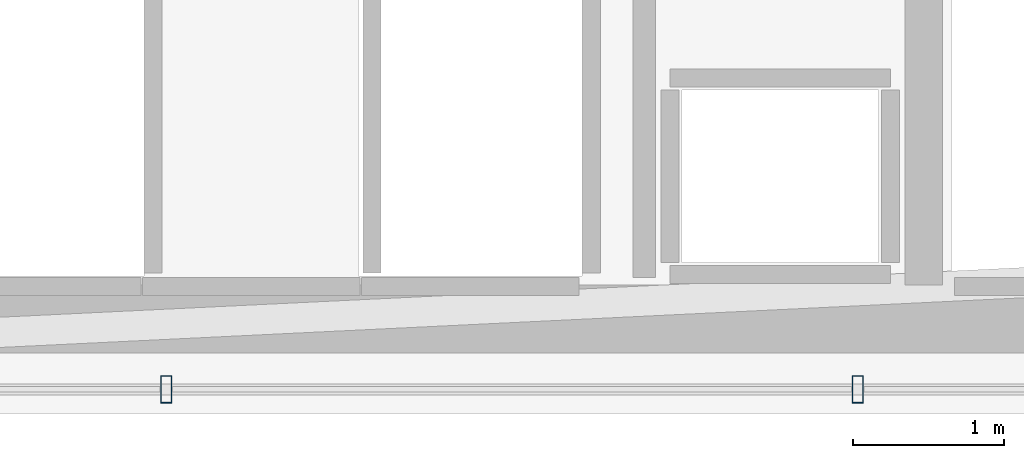
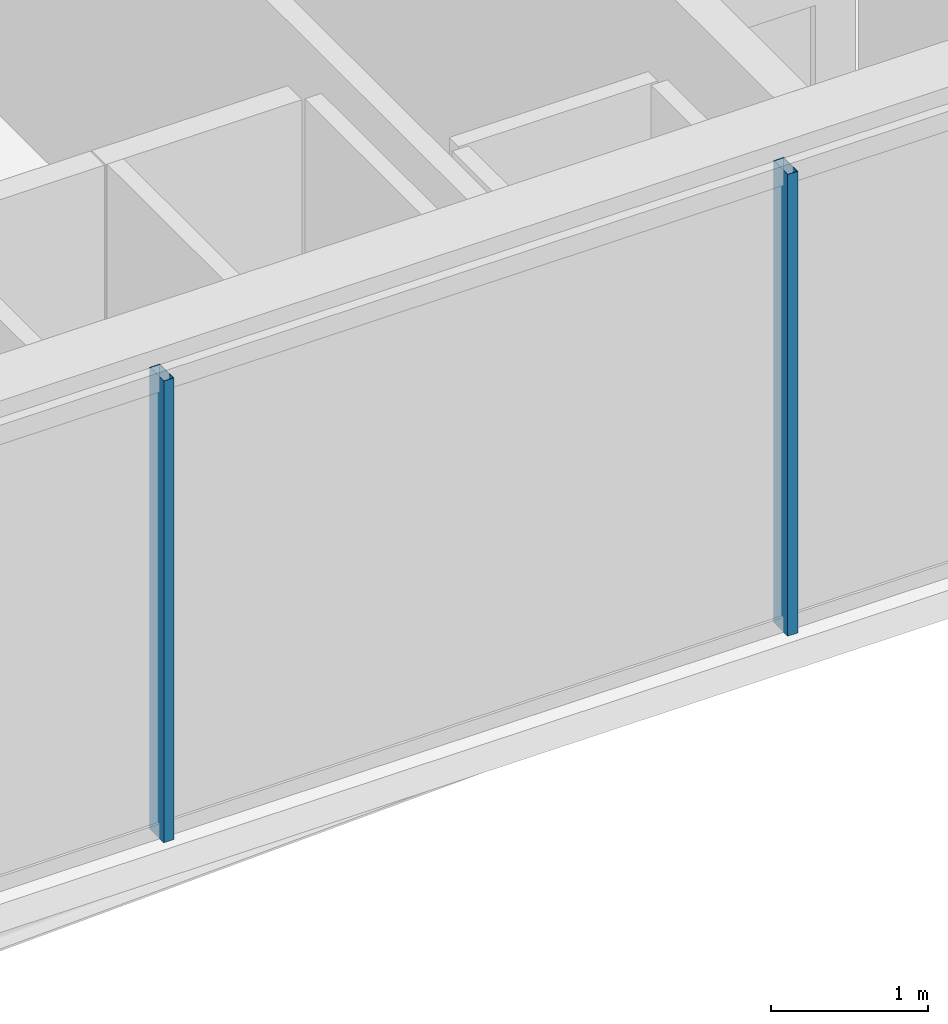
# One storey, part 9 of 32: 2 members, 1 element without a shape of its own.
"""IFC4 building model written with IfcOpenShell, lengths in metres."""

from ifc_helpers import new_model, si_unit, direction, frame, origin, origin_2d, place, context, subcontext, project, spatial, hollow_rectangle, extrude, material, layer, layer_set, material_profile, profile_set, type_object, element, aggregate, save


model = new_model("IFC4")

# Units and contexts
model_context = context("Model", 3, precision=1e-05, world=origin(), true_north=direction((0.0, 1.0)))
body_context = subcontext(model_context, "Body", "Model", "MODEL_VIEW")
ifc_project = project(units=[si_unit("LENGTHUNIT", "METRE"), si_unit("AREAUNIT", "SQUARE_METRE"), si_unit("VOLUMEUNIT", "CUBIC_METRE"), si_unit("PLANEANGLEUNIT", "RADIAN"), si_unit("MASSUNIT", "GRAM", prefix="KILO")], contexts=[model_context])

# Site, building, storey
site_placement = place(None, origin())
site = spatial("IfcSite", under=ifc_project, at=site_placement, CompositionType="ELEMENT")
building_placement = place(site_placement, origin())
building = spatial("IfcBuilding", under=site, at=building_placement, Name="Ndaravel Arena Tower", CompositionType="ELEMENT")
storey_placement = place(building_placement, frame((0.0, 0.0, 77.800048828125)))
storey = spatial("IfcBuildingStorey", under=building, at=storey_placement, Name="L17", CompositionType="ELEMENT", Elevation=77.800048828125)

# Curtain wall, members
ifc_material_1 = material(Name="Aluminium", Category="aluminium")
ifc_layer = layer(ifc_material_1, 0.179931640625)
ifc_layer_set = layer_set([ifc_layer], Name="Aluminium")
curtain_wall_type = type_object("IfcCurtainWallType", Name="CW-SYS-03", PredefinedType="NOTDEFINED", material=ifc_layer_set)
curtain_wall_placement = place(storey_placement, origin())
curtain_wall = element("IfcCurtainWall", 1, at=curtain_wall_placement, inside=storey, type_object=curtain_wall_type, Name="L17 Faceted Crystal Curtain Wall CW-L17-E01", PredefinedType="NOTDEFINED")
ifc_material_2 = material(Name="Aluminium", Category="aluminium")
ifc_material_profile = material_profile(ifc_material_2, hollow_rectangle(XDim=0.074951171875, YDim=0.179931640625, WallThickness=0.00390625, at=origin_2d()), Name="CW MULLION 75x180x4")
ifc_profile_set = profile_set([ifc_material_profile], Name="Aluminium")
member_type = type_object("IfcMemberType", Name="MEM-CW-MUL180", PredefinedType="MULLION", material=ifc_profile_set)
member_1_placement = place(storey_placement, frame((44.287841796875, 5.159912109375, 0.0), z_axis=(0.0, 0.0, 1.0), x_axis=(1.0, 0.0, 0.0)))
member_1 = element("IfcMember", 2, at=member_1_placement, type_object=member_type, Name="CW-L17-E01 Mullion 04", PredefinedType="MULLION", context=body_context, shape_type="SweptSolid", body=[
    extrude(hollow_rectangle(XDim=0.074951171875, YDim=0.179931640625, WallThickness=0.00390625, at=origin_2d()), origin(), (0.0, 0.0, 1.0), 3.579833984375),
])
member_2_placement = place(storey_placement, frame((48.863525390625, 5.159912109375, 0.0), z_axis=(0.0, 0.0, 1.0), x_axis=(1.0, 0.0, 0.0)))
member_2 = element("IfcMember", 3, at=member_2_placement, type_object=member_type, Name="CW-L17-E01 Mullion 05", PredefinedType="MULLION", context=body_context, shape_type="SweptSolid", body=[
    extrude(hollow_rectangle(XDim=0.074951171875, YDim=0.179931640625, WallThickness=0.00390625, at=origin_2d()), origin(), (0.0, 0.0, 1.0), 3.579833984375),
])
aggregate(curtain_wall, [member_1, member_2])

save(model, "model.ifc")
